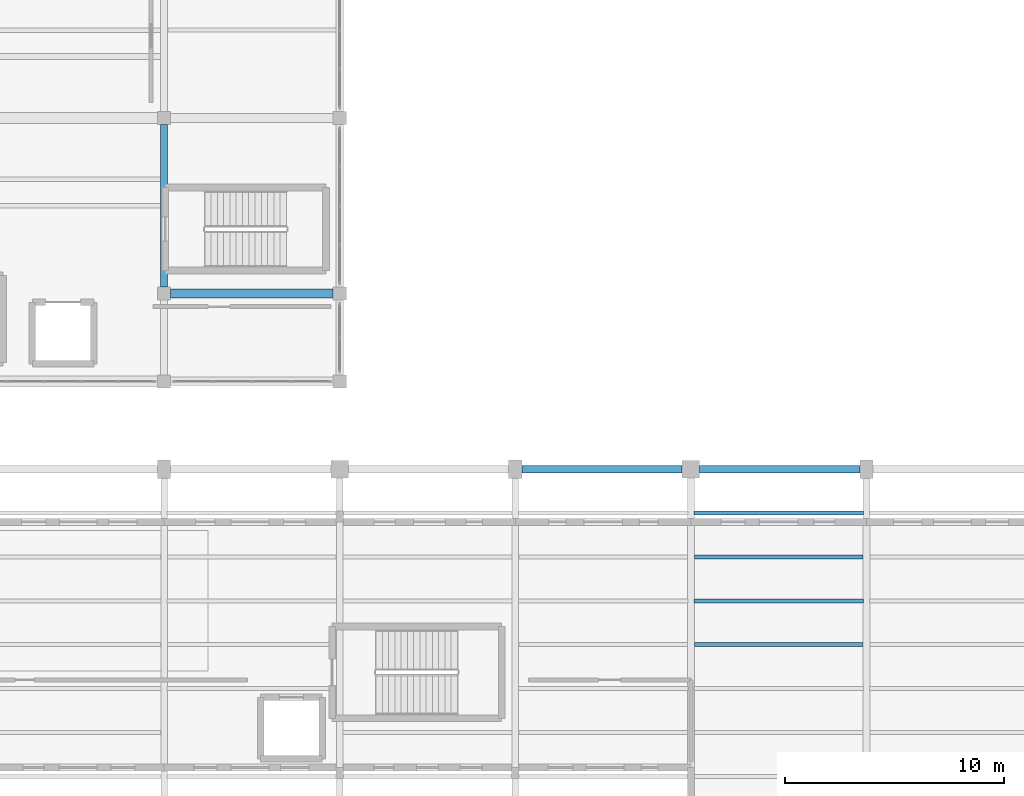
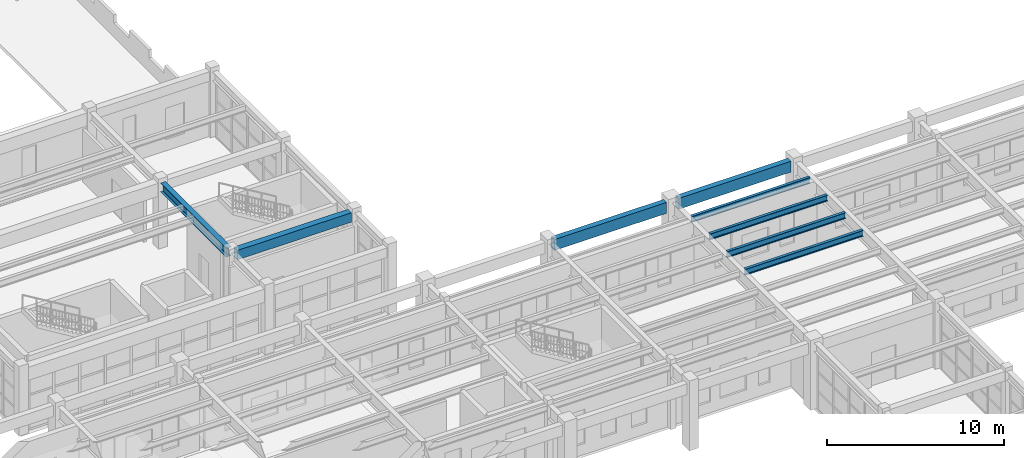
# One storey, part 22 of 59: 8 beams.
"""IFC4 building model written with IfcOpenShell, lengths in metres."""

from ifc_helpers import new_model, si_unit, direction, frame, origin, origin_2d, place, context, subcontext, project, spatial, rectangle, i_section, extrude, material, material_profile, profile_set, type_object, element, save


model = new_model("IFC4")

# Units and contexts
model_context = context("Model", 3, precision=1e-05, world=origin(), true_north=direction((0.0, 1.0)))
body_context = subcontext(model_context, "Body", "Model", "MODEL_VIEW")
ifc_project = project(units=[si_unit("LENGTHUNIT", "METRE"), si_unit("AREAUNIT", "SQUARE_METRE"), si_unit("VOLUMEUNIT", "CUBIC_METRE"), si_unit("PLANEANGLEUNIT", "RADIAN"), si_unit("MASSUNIT", "GRAM", prefix="KILO")], contexts=[model_context])

# Site, building, storey
site_placement = place(None, origin())
site = spatial("IfcSite", under=ifc_project, at=site_placement, CompositionType="ELEMENT")
building_placement = place(site_placement, origin())
building = spatial("IfcBuilding", under=site, at=building_placement, Name="Serraluz Foothill Cableway Terminal", CompositionType="ELEMENT")
storey_placement = place(building_placement, frame((0.0, 0.0, 4.800048828125)))
storey = spatial("IfcBuildingStorey", under=building, at=storey_placement, Name="L01", CompositionType="ELEMENT", Elevation=4.800048828125)

# Beams
ifc_material_1 = material(Name="Concrete C28/35 (f'c 28 MPa)", Category="concrete")
ifc_material_profile_1 = material_profile(ifc_material_1, rectangle(XDim=0.39990234375, YDim=0.64990234375, at=origin_2d()), Name="RC 400x650")
ifc_profile_set_1 = profile_set([ifc_material_profile_1], Name="Concrete C28/35 (f'c 28 MPa)")
beam_type_1 = type_object("IfcBeamType", Name="TYP-BM-RC400X650", PredefinedType="BEAM", material=ifc_profile_set_1)
beam_1_placement = place(storey_placement, frame((96.2958984375, 80.0, 4.175048828125), z_axis=(1.0, 0.0, 0.0), x_axis=(0.0, 1.0, 0.0)))
element("IfcBeam", 1, at=beam_1_placement, inside=storey, type_object=beam_type_1, Name="Primary Girder BM-X-L01-0236", PredefinedType="BEAM", context=body_context, shape_type="SweptSolid", body=[
    extrude(rectangle(XDim=0.39990234375, YDim=0.64990234375, at=origin_2d()), origin(), (0.0, 0.0, 1.0), 7.408203125),
])
ifc_material_2 = material(Name="Steel ASTM A992 Grade 50", Category="steel")
ifc_material_profile_2 = material_profile(ifc_material_2, i_section(OverallWidth=0.324951171875, OverallDepth=0.615966796875, WebThickness=0.013916015625, FlangeThickness=0.021484375, FilletRadius=0.01806640625, at=origin_2d()), Name="W24X117")
ifc_profile_set_2 = profile_set([ifc_material_profile_2], Name="Steel ASTM A992 Grade 50")
beam_type_2 = type_object("IfcBeamType", Name="TYP-BM-W24X117", PredefinedType="BEAM", material=ifc_profile_set_2)
beam_2_placement = place(storey_placement, frame((96.0, 80.2958984375, 4.19189453125), z_axis=(0.0, 1.0, 0.0), x_axis=(-1.0, 0.0, 0.0)))
element("IfcBeam", 2, at=beam_2_placement, inside=storey, type_object=beam_type_2, Name="Transverse Girder BM-Y-L01-0267", PredefinedType="BEAM", context=body_context, shape_type="SweptSolid", body=[
    extrude(i_section(OverallWidth=0.324951171875, OverallDepth=0.615966796875, WebThickness=0.013916015625, FlangeThickness=0.021484375, FilletRadius=0.01806640625, at=origin_2d()), origin(), (0.0, 0.0, 1.0), 7.408203125),
])
ifc_material_profile_3 = material_profile(ifc_material_2, i_section(OverallWidth=0.180908203125, OverallDepth=0.4169921875, WebThickness=0.010986328125, FlangeThickness=0.018310546875, FilletRadius=0.013916015625, at=origin_2d()), Name="W16X57")
ifc_profile_set_3 = profile_set([ifc_material_profile_3], Name="Steel ASTM A992 Grade 50")
beam_type_3 = type_object("IfcBeamType", Name="TYP-JS-W16X57", PredefinedType="JOIST", material=ifc_profile_set_3)
for number, where, z_axis, x_axis, name in (
    (3, (120.158935546875, 64.0, 4.266357421875), (1.0, 0.0, 0.0), (0.0, 1.0, 0.0), "Secondary Floor Joist JS-L01-0110"),
    (4, (120.158935546875, 68.0, 4.266357421875), (1.0, 0.0, 0.0), (0.0, 1.0, 0.0), "Secondary Floor Joist JS-L01-0111"),
):
    element("IfcBeam", number, at=place(storey_placement, frame(where, z_axis=z_axis, x_axis=x_axis)), inside=storey, type_object=beam_type_3, Name=name, PredefinedType="JOIST", context=body_context, shape_type="SweptSolid", body=[
        extrude(i_section(OverallWidth=0.180908203125, OverallDepth=0.4169921875, WebThickness=0.010986328125, FlangeThickness=0.018310546875, FilletRadius=0.013916015625, at=origin_2d()), origin(), (0.0, 0.0, 1.0), 7.68212890625),
    ])
for number, where, z_axis, x_axis, name in (
    (5, (120.139892578125, 66.0, 4.266357421875), (1.0, 0.0, 0.0), (0.0, 1.0, 0.0), "Composite Deck Joist L01-056"),
    (6, (120.139892578125, 70.0, 4.266357421875), (1.0, 0.0, 0.0), (0.0, 1.0, 0.0), "Composite Deck Joist L01-057"),
):
    element("IfcBeam", number, at=place(storey_placement, frame(where, z_axis=z_axis, x_axis=x_axis)), inside=storey, type_object=beam_type_3, Name=name, PredefinedType="JOIST", context=body_context, shape_type="SweptSolid", body=[
        extrude(i_section(OverallWidth=0.180908203125, OverallDepth=0.4169921875, WebThickness=0.010986328125, FlangeThickness=0.018310546875, FilletRadius=0.013916015625, at=origin_2d()), origin(), (0.0, 0.0, 1.0), 7.72021484375),
    ])
ifc_material_3 = material(Name="Precast concrete C40/50", Category="concrete")
ifc_material_profile_4 = material_profile(ifc_material_3, rectangle(XDim=0.35009765625, YDim=0.75, at=origin_2d()), Name="RC SP 350x750")
ifc_profile_set_4 = profile_set([ifc_material_profile_4], Name="Precast concrete C40/50")
beam_type_4 = type_object("IfcBeamType", Name="TYP-SP-RC350X750", PredefinedType="SPANDREL", material=ifc_profile_set_4)
for number, where, z_axis, x_axis, name in (
    (7, (112.2958984375, 72.0, 4.099853515625), (1.0, 0.0, 0.0), (0.0, 1.0, 0.0), "Primary Girder BM-X-L01-0228"),
    (8, (120.39599609375, 72.0, 4.099853515625), (1.0, 0.0, 0.0), (0.0, 1.0, 0.0), "Primary Girder BM-X-L01-0229"),
):
    element("IfcBeam", number, at=place(storey_placement, frame(where, z_axis=z_axis, x_axis=x_axis)), inside=storey, type_object=beam_type_4, Name=name, PredefinedType="SPANDREL", context=body_context, shape_type="SweptSolid", body=[
        extrude(rectangle(XDim=0.35009765625, YDim=0.75, at=origin_2d()), origin(), (0.0, 0.0, 1.0), 7.30810546875),
    ])

save(model, "model.ifc")
